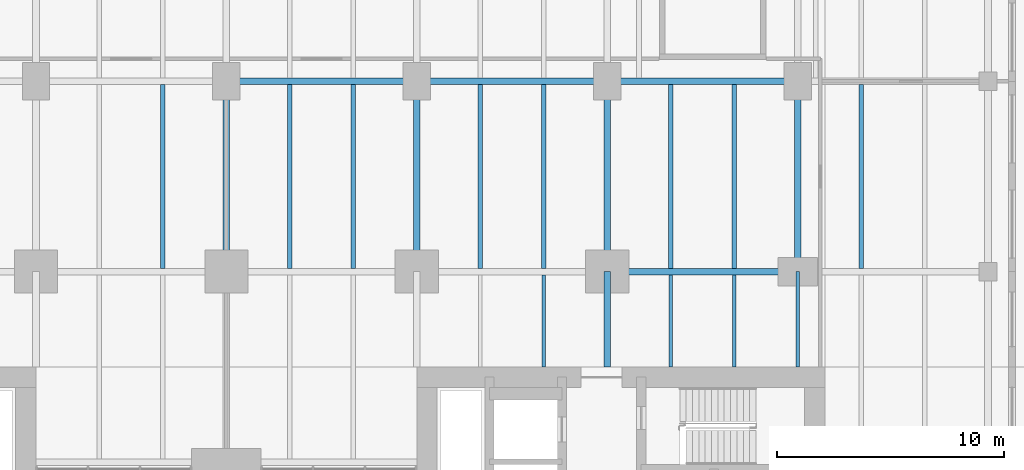
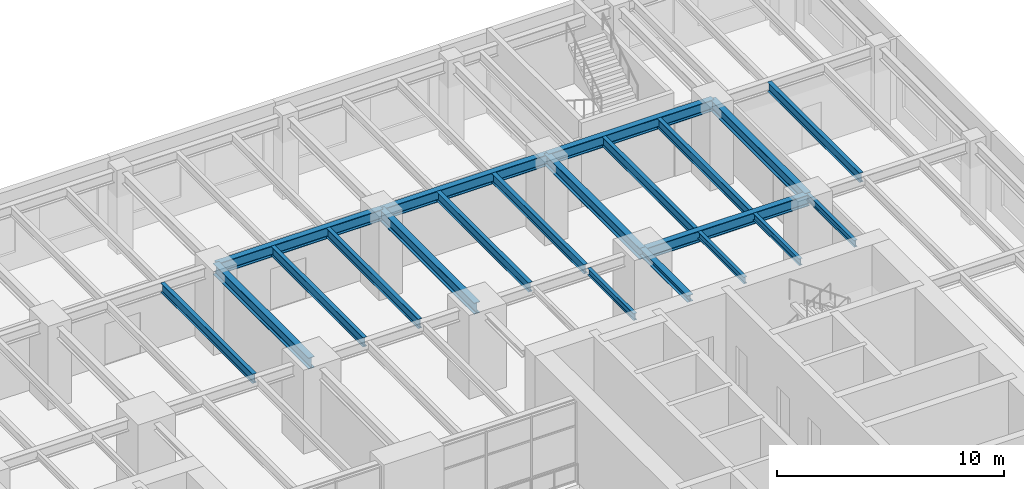
# One storey, part 11 of 30: 21 beams.
"""IFC4 building model written with IfcOpenShell, lengths in metres."""

from ifc_helpers import new_model, si_unit, direction, frame, origin, origin_2d, place, context, subcontext, project, spatial, i_section, extrude, material, material_profile, profile_set, type_object, element, save


model = new_model("IFC4")

# Units and contexts
model_context = context("Model", 3, precision=1e-05, world=origin(), true_north=direction((0.0, 1.0)))
body_context = subcontext(model_context, "Body", "Model", "MODEL_VIEW")
ifc_project = project(units=[si_unit("LENGTHUNIT", "METRE"), si_unit("AREAUNIT", "SQUARE_METRE"), si_unit("VOLUMEUNIT", "CUBIC_METRE"), si_unit("PLANEANGLEUNIT", "RADIAN"), si_unit("MASSUNIT", "GRAM", prefix="KILO")], contexts=[model_context])

# Site, building, storey
site_placement = place(None, origin())
site = spatial("IfcSite", under=ifc_project, at=site_placement, CompositionType="ELEMENT")
building_placement = place(site_placement, origin())
building = spatial("IfcBuilding", under=site, at=building_placement, Name="Claustro Exchange Tower", CompositionType="ELEMENT")
storey_placement = place(building_placement, frame((0.0, 0.0, 5.39990234375)))
storey = spatial("IfcBuildingStorey", under=building, at=storey_placement, Name="L01", CompositionType="ELEMENT", Elevation=5.39990234375)

# Beams
ifc_material_1 = material(Name="Steel S355", Category="steel")
ifc_material_profile_1 = material_profile(ifc_material_1, i_section(OverallWidth=0.300048828125, OverallDepth=0.60009765625, WebThickness=0.015380859375, FlangeThickness=0.030029296875, FilletRadius=0.027099609375, at=origin_2d()), Name="HE 600 B")
ifc_profile_set_1 = profile_set([ifc_material_profile_1], Name="Steel S355")
beam_type_1 = type_object("IfcBeamType", Name="B1 HE 600 B floor girder", PredefinedType="BEAM", material=ifc_profile_set_1)
for number, where, z_axis, x_axis, name in (
    (1, (25.199951171875, 42.0, 4.0), (0.0, 1.0, 0.0), (-1.0, 0.0, 0.0), "Beam B1 L02"),
    (2, (33.60009765625, 42.0, 4.0), (0.0, 1.0, 0.0), (-1.0, 0.0, 0.0), "Beam B1 L02"),
    (3, (42.0, 42.0, 4.0), (0.0, 1.0, 0.0), (-1.0, 0.0, 0.0), "Beam B1 L02"),
    (4, (50.39990234375, 42.0, 4.0), (0.0, 1.0, 0.0), (-1.0, 0.0, 0.0), "Beam B1 L02"),
    (5, (42.0, 42.0, 4.0), (1.0, 0.0, 0.0), (0.0, 1.0, 0.0), "Beam B1 L02"),
):
    element("IfcBeam", number, at=place(storey_placement, frame(where, z_axis=z_axis, x_axis=x_axis)), inside=storey, type_object=beam_type_1, Name=name, PredefinedType="BEAM", context=body_context, shape_type="SweptSolid", body=[
        extrude(i_section(OverallWidth=0.300048828125, OverallDepth=0.60009765625, WebThickness=0.015380859375, FlangeThickness=0.030029296875, FilletRadius=0.027099609375, at=origin_2d()), origin(), (0.0, 0.0, 1.0), 8.39990234375),
    ])
beam_1_placement = place(storey_placement, frame((25.199951171875, 50.39990234375, 4.0), z_axis=(1.0, 0.0, 0.0), x_axis=(0.0, 1.0, 0.0)))
element("IfcBeam", 6, at=beam_1_placement, inside=storey, type_object=beam_type_1, Name="Beam B1 L02", PredefinedType="BEAM", context=body_context, shape_type="SweptSolid", body=[
    extrude(i_section(OverallWidth=0.300048828125, OverallDepth=0.60009765625, WebThickness=0.015380859375, FlangeThickness=0.030029296875, FilletRadius=0.027099609375, at=origin_2d()), origin(), (0.0, 0.0, 1.0), 8.400146484375),
])
for number, where, z_axis, x_axis, name in (
    (7, (33.60009765625, 50.39990234375, 4.0), (1.0, 0.0, 0.0), (0.0, 1.0, 0.0), "Beam B1 L02"),
    (8, (42.0, 50.39990234375, 4.0), (1.0, 0.0, 0.0), (0.0, 1.0, 0.0), "Beam B1 L02"),
):
    element("IfcBeam", number, at=place(storey_placement, frame(where, z_axis=z_axis, x_axis=x_axis)), inside=storey, type_object=beam_type_1, Name=name, PredefinedType="BEAM", context=body_context, shape_type="SweptSolid", body=[
        extrude(i_section(OverallWidth=0.300048828125, OverallDepth=0.60009765625, WebThickness=0.015380859375, FlangeThickness=0.030029296875, FilletRadius=0.027099609375, at=origin_2d()), origin(), (0.0, 0.0, 1.0), 8.39990234375),
    ])
ifc_material_2 = material(Name="Steel S355", Category="steel")
ifc_material_profile_2 = material_profile(ifc_material_2, i_section(OverallWidth=0.169921875, OverallDepth=0.360107421875, WebThickness=0.008056640625, FlangeThickness=0.0126953125, FilletRadius=0.01806640625, at=origin_2d()), Name="IPE 360")
ifc_profile_set_2 = profile_set([ifc_material_profile_2], Name="Steel S355")
beam_type_2 = type_object("IfcBeamType", Name="B16 IPE 360 short-span beam", PredefinedType="BEAM", material=ifc_profile_set_2)
beam_2_placement = place(storey_placement, frame((50.39990234375, 37.800048828125, 4.1201171875), z_axis=(0.0, 1.0, 0.0), x_axis=(-1.0, 0.0, 0.0)))
element("IfcBeam", 9, at=beam_2_placement, inside=storey, type_object=beam_type_2, Name="Beam B16 L02", PredefinedType="BEAM", context=body_context, shape_type="SweptSolid", body=[
    extrude(i_section(OverallWidth=0.169921875, OverallDepth=0.360107421875, WebThickness=0.008056640625, FlangeThickness=0.0126953125, FilletRadius=0.01806640625, at=origin_2d()), origin(), (0.0, 0.0, 1.0), 4.199951171875),
])
for number, where, z_axis, x_axis, name in (
    (10, (39.199951171875, 37.7900390625, 4.1201171875), (0.0, 1.0, 0.0), (-1.0, 0.0, 0.0), "Beam B16 L02"),
    (11, (44.800048828125, 37.7900390625, 4.1201171875), (0.0, 1.0, 0.0), (-1.0, 0.0, 0.0), "Beam B16 L02"),
    (12, (47.60009765625, 37.7900390625, 4.1201171875), (0.0, 1.0, 0.0), (-1.0, 0.0, 0.0), "Beam B16 L02"),
):
    element("IfcBeam", number, at=place(storey_placement, frame(where, z_axis=z_axis, x_axis=x_axis)), inside=storey, type_object=beam_type_2, Name=name, PredefinedType="BEAM", context=body_context, shape_type="SweptSolid", body=[
        extrude(i_section(OverallWidth=0.169921875, OverallDepth=0.360107421875, WebThickness=0.008056640625, FlangeThickness=0.0126953125, FilletRadius=0.01806640625, at=origin_2d()), origin(), (0.0, 0.0, 1.0), 4.06005859375),
    ])
ifc_material_3 = material(Name="Steel S355", Category="steel")
ifc_material_profile_3 = material_profile(ifc_material_3, i_section(OverallWidth=0.199951171875, OverallDepth=0.5, WebThickness=0.01025390625, FlangeThickness=0.01611328125, FilletRadius=0.02099609375, at=origin_2d()), Name="IPE 500")
ifc_profile_set_3 = profile_set([ifc_material_profile_3], Name="Steel S355")
beam_type_3 = type_object("IfcBeamType", Name="B2 IPE 500 secondary beam", PredefinedType="BEAM", material=ifc_profile_set_3)
for number, where, z_axis, x_axis, name in (
    (13, (22.39990234375, 42.14990234375, 4.050048828125), (0.0, 1.0, 0.0), (-1.0, 0.0, 0.0), "Beam B2 L02"),
    (14, (28.0, 42.14990234375, 4.050048828125), (0.0, 1.0, 0.0), (-1.0, 0.0, 0.0), "Beam B2 L02"),
    (15, (30.800048828125, 42.14990234375, 4.050048828125), (0.0, 1.0, 0.0), (-1.0, 0.0, 0.0), "Beam B2 L02"),
    (16, (36.39990234375, 42.14990234375, 4.050048828125), (0.0, 1.0, 0.0), (-1.0, 0.0, 0.0), "Beam B2 L02"),
    (17, (39.199951171875, 42.14990234375, 4.050048828125), (0.0, 1.0, 0.0), (-1.0, 0.0, 0.0), "Beam B2 L02"),
    (18, (44.800048828125, 42.14990234375, 4.050048828125), (0.0, 1.0, 0.0), (-1.0, 0.0, 0.0), "Beam B2 L02"),
    (19, (47.60009765625, 42.14990234375, 4.050048828125), (0.0, 1.0, 0.0), (-1.0, 0.0, 0.0), "Beam B2 L02"),
    (20, (53.199951171875, 42.14990234375, 4.050048828125), (0.0, 1.0, 0.0), (-1.0, 0.0, 0.0), "Beam B2 L02"),
):
    element("IfcBeam", number, at=place(storey_placement, frame(where, z_axis=z_axis, x_axis=x_axis)), inside=storey, type_object=beam_type_3, Name=name, PredefinedType="BEAM", context=body_context, shape_type="SweptSolid", body=[
        extrude(i_section(OverallWidth=0.199951171875, OverallDepth=0.5, WebThickness=0.01025390625, FlangeThickness=0.01611328125, FilletRadius=0.02099609375, at=origin_2d()), origin(), (0.0, 0.0, 1.0), 8.10009765625),
    ])
ifc_material_4 = material(Name="Steel S355", Category="steel")
ifc_material_profile_4 = material_profile(ifc_material_4, i_section(OverallWidth=0.300048828125, OverallDepth=0.360107421875, WebThickness=0.012451171875, FlangeThickness=0.0224609375, FilletRadius=0.027099609375, at=origin_2d()), Name="HE 360 B")
ifc_profile_set_4 = profile_set([ifc_material_profile_4], Name="Steel S355")
beam_type_4 = type_object("IfcBeamType", Name="B29 HE 360 B column to core link beam", PredefinedType="BEAM", material=ifc_profile_set_4)
beam_3_placement = place(storey_placement, frame((42.0, 37.800048828125, 4.1201171875), z_axis=(0.0, 1.0, 0.0), x_axis=(-1.0, 0.0, 0.0)))
element("IfcBeam", 21, at=beam_3_placement, inside=storey, type_object=beam_type_4, Name="Beam B29 L02", PredefinedType="BEAM", context=body_context, shape_type="SweptSolid", body=[
    extrude(i_section(OverallWidth=0.300048828125, OverallDepth=0.360107421875, WebThickness=0.012451171875, FlangeThickness=0.0224609375, FilletRadius=0.027099609375, at=origin_2d()), origin(), (0.0, 0.0, 1.0), 4.199951171875),
])

save(model, "model.ifc")
